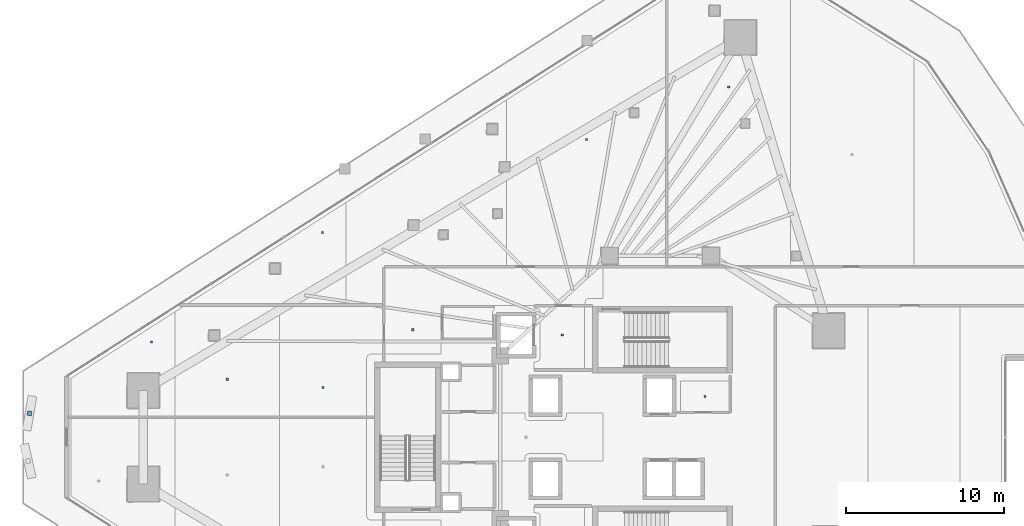
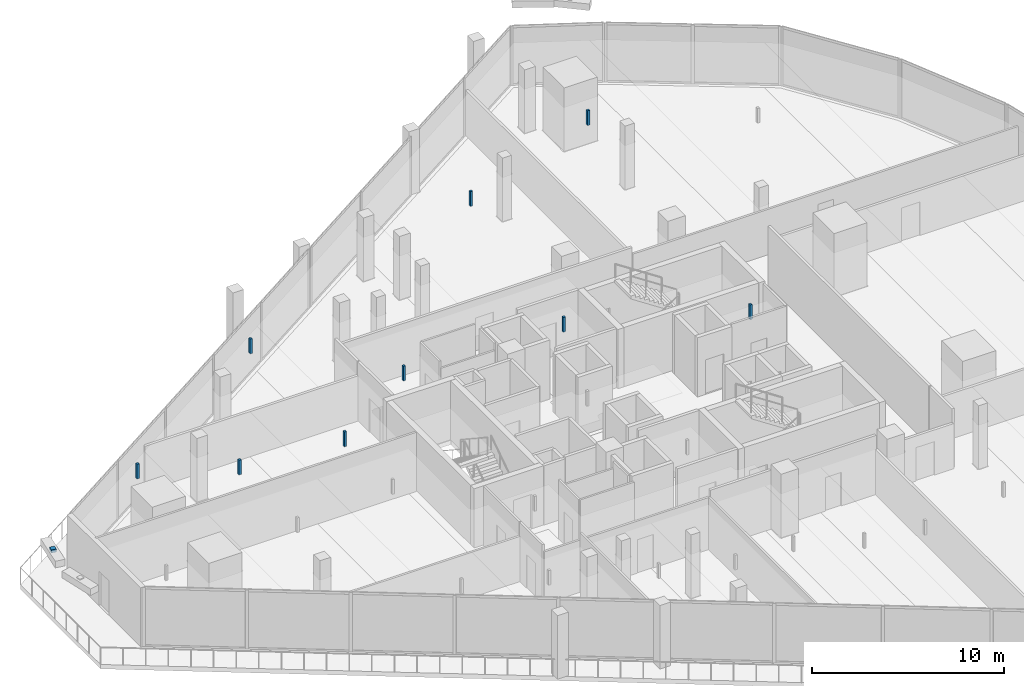
# One storey, part 32 of 42: 10 discrete accessories.
"""IFC4 building model written with IfcOpenShell, lengths in metres."""

from ifc_helpers import new_model, si_unit, direction, frame, origin, origin_2d, place, context, subcontext, project, spatial, rectangle, extrude, material, type_object, element, save


model = new_model("IFC4")

# Units and contexts
model_context = context("Model", 3, precision=1e-05, world=origin(), true_north=direction((0.0, 1.0)))
body_context = subcontext(model_context, "Body", "Model", "MODEL_VIEW")
ifc_project = project(units=[si_unit("LENGTHUNIT", "METRE"), si_unit("AREAUNIT", "SQUARE_METRE"), si_unit("VOLUMEUNIT", "CUBIC_METRE"), si_unit("PLANEANGLEUNIT", "RADIAN"), si_unit("MASSUNIT", "GRAM", prefix="KILO")], contexts=[model_context])

# Site, building, storey
site_placement = place(None, origin())
site = spatial("IfcSite", under=ifc_project, at=site_placement, CompositionType="ELEMENT")
building_placement = place(site_placement, origin())
building = spatial("IfcBuilding", under=site, at=building_placement, Name="Qorvath Tower", CompositionType="ELEMENT")
storey_placement = place(building_placement, frame((0.0, 0.0, 117.89990234375)))
storey = spatial("IfcBuildingStorey", under=building, at=storey_placement, Name="L26", CompositionType="ELEMENT", Elevation=117.89990234375)

# Discrete accessories
ifc_material = material(Name="Galvanised steel bracket", Category="steel")
discrete_accessory_type = type_object("IfcDiscreteAccessoryType", Name="DA-BRACKET", PredefinedType="BRACKET", material=ifc_material)
discrete_accessory_placement = place(storey_placement, frame((-60.2392578125, 1.505615234375, 3.6298828125), z_axis=(0.0, 0.0, 1.0), x_axis=(-0.167371026267, -0.985893979881, 0.0)))
element("IfcDiscreteAccessory", 1, at=discrete_accessory_placement, inside=storey, type_object=discrete_accessory_type, Name="Louvre Wave Support Bracket L26-01", PredefinedType="NOTDEFINED", context=body_context, shape_type="SweptSolid", body=[
    extrude(rectangle(XDim=0.280029296875, YDim=0.280029296875, at=origin_2d()), origin(), (0.0, 0.0, 1.0), 0.199951171875),
])
for number, where, z_axis, x_axis, name in (
    (2, (-26.590087890625, 6.449951171875, 2.860107421875), (0.0, 0.0, 1.0), (1.0, 0.0, 0.0), "Acoustic Ceiling Suspension Hanger T1-L26-001"),
    (3, (-17.572509765625, 2.5625, 2.860107421875), (0.0, 0.0, 1.0), (1.0, 0.0, 0.0), "Acoustic Ceiling Suspension Hanger T1-L26-003"),
    (4, (-36.040283203125, 6.782470703125, 2.860107421875), (0.0, 0.0, 1.0), (1.0, 0.0, 0.0), "Acoustic Ceiling Suspension Hanger T1-L26-009"),
    (5, (-41.730712890625, 12.922119140625, 2.860107421875), (0.0, 0.0, 1.0), (1.0, 0.0, 0.0), "Acoustic Ceiling Suspension Hanger T1-L26-011"),
    (6, (-25.058837890625, 18.79345703125, 2.860107421875), (0.0, 0.0, 1.0), (1.0, 0.0, 0.0), "Acoustic Ceiling Suspension Hanger T1-L26-013"),
    (7, (-16.082763671875, 22.11083984375, 2.860107421875), (0.0, 0.0, 1.0), (1.0, 0.0, 0.0), "Acoustic Ceiling Suspension Hanger T1-L26-014"),
    (8, (-52.541015625, 6.007080078125, 2.860107421875), (0.0, 0.0, 1.0), (1.0, 0.0, 0.0), "Acoustic Ceiling Suspension Hanger T1-L26-033"),
    (9, (-47.74853515625, 3.662353515625, 2.860107421875), (0.0, 0.0, 1.0), (1.0, 0.0, 0.0), "Acoustic Ceiling Suspension Hanger T1-L26-034"),
    (10, (-41.70166015625, 3.137451171875, 2.860107421875), (0.0, 0.0, 1.0), (1.0, 0.0, 0.0), "Acoustic Ceiling Suspension Hanger T1-L26-035"),
):
    element("IfcDiscreteAccessory", number, at=place(storey_placement, frame(where, z_axis=z_axis, x_axis=x_axis)), inside=storey, type_object=discrete_accessory_type, Name=name, PredefinedType="NOTDEFINED", context=body_context, shape_type="SweptSolid", body=[
        extrude(rectangle(XDim=0.139892578125, YDim=0.139892578125, at=origin_2d()), origin(), (0.0, 0.0, 1.0), 0.93994140625),
    ])

save(model, "model.ifc")
